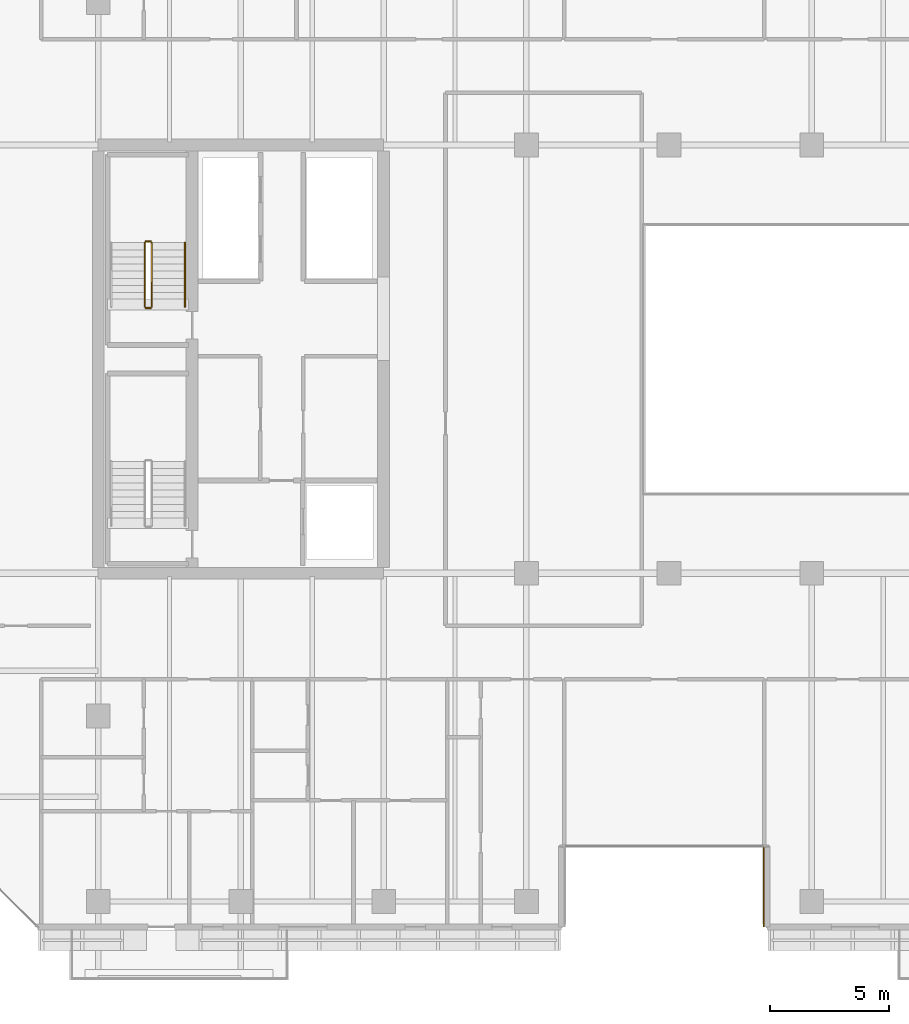
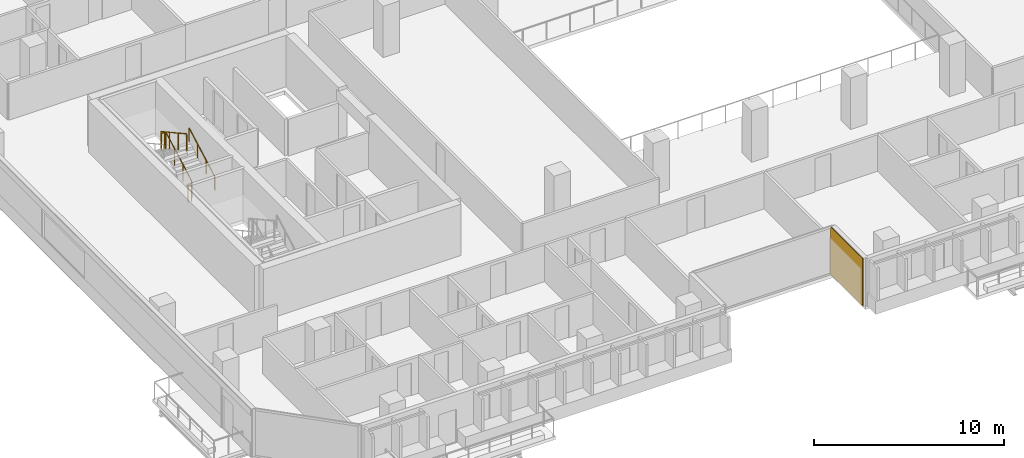
# One storey, part 30 of 33: 5 railings, 1 covering.
"""IFC4 building model written with IfcOpenShell, lengths in metres."""

from ifc_helpers import new_model, si_unit, direction, frame, origin, origin_2d, place, context, subcontext, project, spatial, rectangle, extrude, material, layer, layer_set, type_object, element, save


model = new_model("IFC4")

# Units and contexts
model_context = context("Model", 3, precision=1e-05, world=origin(), true_north=direction((0.0, 1.0)))
body_context = subcontext(model_context, "Body", "Model", "MODEL_VIEW")
ifc_project = project(units=[si_unit("LENGTHUNIT", "METRE"), si_unit("AREAUNIT", "SQUARE_METRE"), si_unit("VOLUMEUNIT", "CUBIC_METRE"), si_unit("PLANEANGLEUNIT", "RADIAN"), si_unit("MASSUNIT", "GRAM", prefix="KILO")], contexts=[model_context])

# Site, building, storey
site_placement = place(None, origin())
site = spatial("IfcSite", under=ifc_project, at=site_placement, CompositionType="ELEMENT")
building_placement = place(site_placement, origin())
building = spatial("IfcBuilding", under=site, at=building_placement, Name="Tanjung Sevakor Pilgrim Tower", CompositionType="ELEMENT")
storey_placement = place(building_placement, frame((0.0, 0.0, 95.3701171875)))
storey = spatial("IfcBuildingStorey", under=building, at=storey_placement, Name="L26", CompositionType="ELEMENT", Elevation=95.3701171875)

# Covering
ifc_material_1 = material(Name="Reconstructed Limestone Cladding", Category="masonry")
ifc_layer = layer(ifc_material_1, 0.044921875)
ifc_layer_set = layer_set([ifc_layer], Name="COV-CLAD-LIMESTONE")
covering_type = type_object("IfcCoveringType", Name="COV-CLAD-LIMESTONE", PredefinedType="CLADDING", material=ifc_layer_set)
covering_placement = place(storey_placement, frame((51.9775390625, 11.425048828125, 0.019775390625), z_axis=(0.0, 0.0, 1.0), x_axis=(0.0, -1.0, 0.0)))
element("IfcCovering", 1, at=covering_placement, inside=storey, type_object=covering_type, Name="L26 Warm Limestone Wall Cladding EW-L26-MAIN-4", PredefinedType="CLADDING", context=body_context, shape_type="SweptSolid", body=[
    extrude(rectangle(XDim=3.360107421875, YDim=0.044921875, at=origin_2d()), origin(), (0.0, 0.0, 1.0), 3.0400390625),
])

# Railings
ifc_material_2 = material(Name="Steel S355J2", Category="steel")
railing_type_1 = type_object("IfcRailingType", Name="RL-STAIR-GUARD", PredefinedType="GUARDRAIL", material=ifc_material_2)
railing_1_placement = place(storey_placement, frame((26.25, 35.800048828125, 0.164794921875)))
element("IfcRailing", 2, at=railing_1_placement, inside=storey, type_object=railing_type_1, Name="L26 TS-W2 stair guard 1", PredefinedType="GUARDRAIL", context=body_context, shape_type="SweptSolid", body=[
    extrude(rectangle(XDim=0.0479, YDim=0.0479), frame((0.0, 0.0, 1.076171875), z_axis=(0.0, 0.876197507361, 0.481952205197), x_axis=(-1.0, 0.0, 0.0)), (0.0, 0.0, 1.0), 3.08154296875),
    extrude(rectangle(XDim=0.042, YDim=0.042), origin(), (0.0, 0.0, 1.0), 1.052001953125),
    extrude(rectangle(XDim=0.042, YDim=0.042), frame((0.0, 0.89990234375, 0.4951171875)), (0.0, 0.0, 1.0), 1.052001953125),
    extrude(rectangle(XDim=0.042, YDim=0.042), frame((0.0, 1.800048828125, 0.989990234375)), (0.0, 0.0, 1.0), 1.052001953125),
    extrude(rectangle(XDim=0.042, YDim=0.042), frame((0.0, 2.699951171875, 1.485107421875)), (0.0, 0.0, 1.0), 1.052001953125),
])
railing_2_placement = place(storey_placement, frame((26.199951171875, 38.550048828125, 1.64990234375)))
element("IfcRailing", 3, at=railing_2_placement, inside=storey, type_object=railing_type_1, Name="L26 TS-W2 stair guard 2", PredefinedType="GUARDRAIL", context=body_context, shape_type="SweptSolid", body=[
    extrude(rectangle(XDim=0.0479, YDim=0.0479), frame((0.0, 0.0, 1.076171875), z_axis=(-1.0, 0.0, 0.0), x_axis=(0.0, -1.0, 0.0)), (0.0, 0.0, 1.0), 0.199951171875),
    extrude(rectangle(XDim=0.042, YDim=0.042), origin(), (0.0, 0.0, 1.0), 1.052001953125),
    extrude(rectangle(XDim=0.042, YDim=0.042), frame((-0.199951171875, 0.0, 0.0)), (0.0, 0.0, 1.0), 1.052001953125),
])
railing_3_placement = place(storey_placement, frame((25.949951171875, 38.5, 1.81494140625)))
element("IfcRailing", 4, at=railing_3_placement, inside=storey, type_object=railing_type_1, Name="L26 TS-W2 stair guard 3", PredefinedType="GUARDRAIL", context=body_context, shape_type="SweptSolid", body=[
    extrude(rectangle(XDim=0.0479, YDim=0.0479), frame((0.0, 0.0, 1.076171875), z_axis=(0.0, -0.876230963923, 0.481891375584), x_axis=(1.0, 0.0, 0.0)), (0.0, 0.0, 1.0), 3.081298828125),
    extrude(rectangle(XDim=0.042, YDim=0.042), origin(), (0.0, 0.0, 1.0), 1.052001953125),
    extrude(rectangle(XDim=0.042, YDim=0.042), frame((0.0, -0.89990234375, 0.494873046875)), (0.0, 0.0, 1.0), 1.052001953125),
    extrude(rectangle(XDim=0.042, YDim=0.042), frame((0.0, -1.800048828125, 0.989990234375)), (0.0, 0.0, 1.0), 1.052001953125),
    extrude(rectangle(XDim=0.042, YDim=0.042), frame((0.0, -2.699951171875, 1.48486328125)), (0.0, 0.0, 1.0), 1.052001953125),
])
railing_4_placement = place(storey_placement, frame((26.199951171875, 35.75, 0.0)))
element("IfcRailing", 5, at=railing_4_placement, inside=storey, type_object=railing_type_1, Name="L26 TS-W2 stair guard 4", PredefinedType="GUARDRAIL", context=body_context, shape_type="SweptSolid", body=[
    extrude(rectangle(XDim=0.0479, YDim=0.0479), frame((0.0, 0.0, 1.076171875), z_axis=(-1.0, 0.0, 0.0), x_axis=(0.0, -1.0, 0.0)), (0.0, 0.0, 1.0), 0.199951171875),
    extrude(rectangle(XDim=0.042, YDim=0.042), origin(), (0.0, 0.0, 1.0), 1.052001953125),
    extrude(rectangle(XDim=0.042, YDim=0.042), frame((-0.199951171875, 0.0, 0.0)), (0.0, 0.0, 1.0), 1.052001953125),
])
ifc_material_3 = material(Name="Steel S355J2", Category="steel")
railing_type_2 = type_object("IfcRailingType", Name="RL-STAIR-HAND", PredefinedType="HANDRAIL", material=ifc_material_3)
railing_5_placement = place(storey_placement, frame((27.64990234375, 35.800048828125, 0.164794921875)))
element("IfcRailing", 6, at=railing_5_placement, inside=storey, type_object=railing_type_2, Name="L26 TS-W2 stair handrail 1", PredefinedType="HANDRAIL", context=body_context, shape_type="SweptSolid", body=[
    extrude(rectangle(XDim=0.0479, YDim=0.0479), frame((0.0, 0.0, 0.8759765625), z_axis=(0.0, 0.876197507361, 0.481952205197), x_axis=(-1.0, 0.0, 0.0)), (0.0, 0.0, 1.0), 3.08154296875),
    extrude(rectangle(XDim=0.042, YDim=0.042), origin(), (0.0, 0.0, 1.0), 0.851806640625),
    extrude(rectangle(XDim=0.042, YDim=0.042), frame((0.0, 0.89990234375, 0.4951171875)), (0.0, 0.0, 1.0), 0.851806640625),
    extrude(rectangle(XDim=0.042, YDim=0.042), frame((0.0, 1.800048828125, 0.989990234375)), (0.0, 0.0, 1.0), 0.851806640625),
    extrude(rectangle(XDim=0.042, YDim=0.042), frame((0.0, 2.699951171875, 1.485107421875)), (0.0, 0.0, 1.0), 0.851806640625),
])

save(model, "model.ifc")
